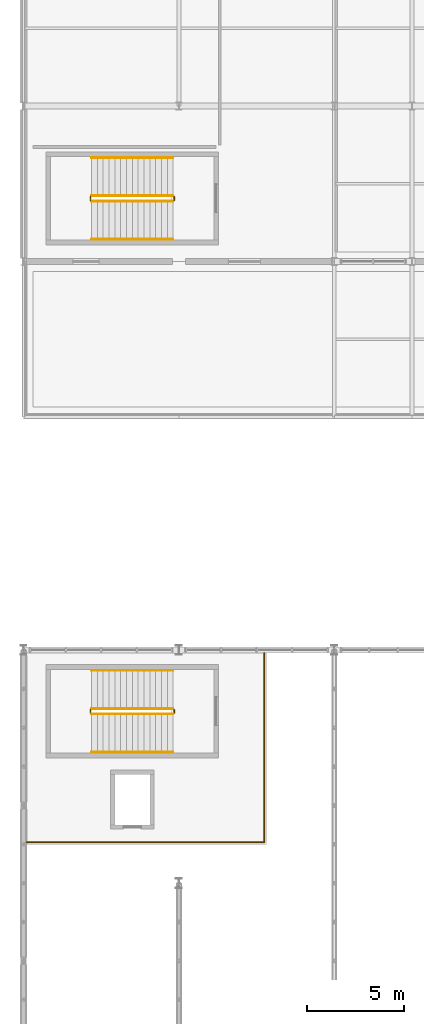
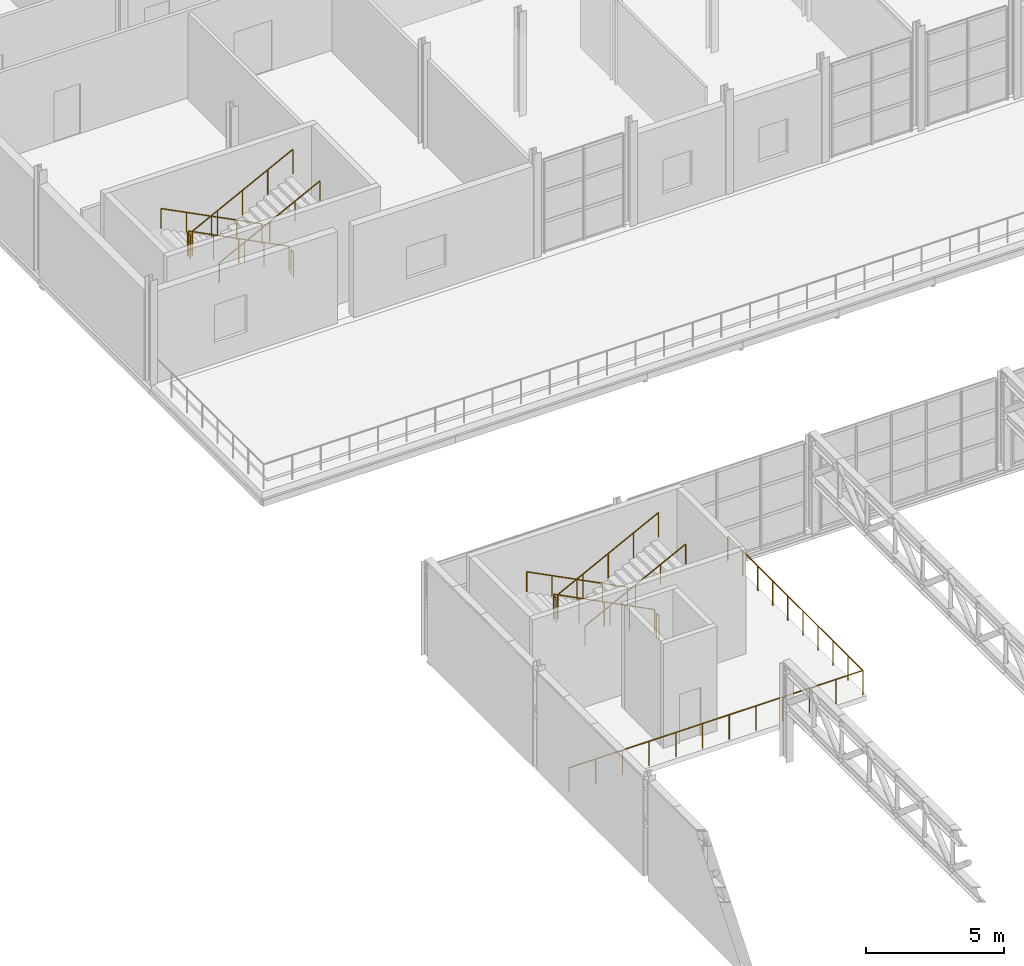
# One storey, part 64 of 67: 13 railings.
"""IFC4 building model written with IfcOpenShell, lengths in metres."""

from ifc_helpers import new_model, si_unit, derived_unit, direction, frame, origin, origin_2d, place, context, subcontext, project, spatial, circle, extrude, material, type_object, element, save


model = new_model("IFC4")

# Units and contexts
model_context = context("Model", 3, precision=1e-05, world=origin(), true_north=direction((0.0, 1.0)))
body_context = subcontext(model_context, "Body", "Model", "MODEL_VIEW")
ifc_project = project(units=[si_unit("LENGTHUNIT", "METRE"), si_unit("AREAUNIT", "SQUARE_METRE"), si_unit("VOLUMEUNIT", "CUBIC_METRE"), si_unit("PLANEANGLEUNIT", "RADIAN"), si_unit("MASSUNIT", "GRAM", prefix="KILO"), derived_unit("THERMALTRANSMITTANCEUNIT", [(si_unit("POWERUNIT", "WATT"), 1), (si_unit("LENGTHUNIT", "METRE"), -2), (si_unit("THERMODYNAMICTEMPERATUREUNIT", "KELVIN"), -1)])], contexts=[model_context])

# Site, building, storey
site_placement = place(None, origin())
site = spatial("IfcSite", under=ifc_project, at=site_placement, CompositionType="ELEMENT")
building_placement = place(site_placement, origin())
building = spatial("IfcBuilding", under=site, at=building_placement, Name="Keldorne Ridge Multi-Sports Centre", CompositionType="ELEMENT")
storey_placement = place(building_placement, frame((0.0, 0.0, 14.0)))
storey = spatial("IfcBuildingStorey", under=building, at=storey_placement, Name="L03", CompositionType="ELEMENT", Elevation=14.0)

# Railings
ifc_material_1 = material(Name="Laminated glass and stainless steel", Category="steel")
railing_type_1 = type_object("IfcRailingType", Name="RLG-BL-01", PredefinedType="BALUSTRADE", material=ifc_material_1)
railing_1_placement = place(storey_placement, frame((111.699951171875, 77.389892578125, 0.1533203125)))
element("IfcRailing", 1, at=railing_1_placement, inside=storey, type_object=railing_type_1, Name="L03 ST-02 stair guard 1", PredefinedType="BALUSTRADE", context=body_context, shape_type="SweptSolid", body=[
    extrude(circle(Radius=0.02392578125, at=origin_2d()), frame((0.0, 0.0, 1.076171875), z_axis=(-0.890427224097, 0.0, 0.455125651426), x_axis=(0.0, -1.0, 0.0)), (0.0, 0.0, 1.0), 4.716796875),
    extrude(circle(Radius=0.02099609375, at=origin_2d()), origin(), (0.0, 0.0, 1.0), 1.052001953125),
    extrude(circle(Radius=0.02099609375, at=origin_2d()), frame((-1.050048828125, 0.0, 0.53662109375)), (0.0, 0.0, 1.0), 1.052001953125),
    extrude(circle(Radius=0.02099609375, at=origin_2d()), frame((-2.10009765625, 0.0, 1.0732421875)), (0.0, 0.0, 1.0), 1.052001953125),
    extrude(circle(Radius=0.02099609375, at=origin_2d()), frame((-3.14990234375, 0.0, 1.610107421875)), (0.0, 0.0, 1.0), 1.052001953125),
    extrude(circle(Radius=0.02099609375, at=origin_2d()), frame((-4.199951171875, 0.0, 2.146728515625)), (0.0, 0.0, 1.0), 1.052001953125),
])
railing_2_placement = place(storey_placement, frame((107.449951171875, 77.340087890625, 2.300048828125)))
element("IfcRailing", 2, at=railing_2_placement, inside=storey, type_object=railing_type_1, Name="L03 ST-02 stair guard 2", PredefinedType="BALUSTRADE", context=body_context, shape_type="SweptSolid", body=[
    extrude(circle(Radius=0.02392578125, at=origin_2d()), frame((0.0, 0.0, 1.076171875), z_axis=(0.0, -1.0, 0.0), x_axis=(1.0, 0.0, 0.0)), (0.0, 0.0, 1.0), 0.18017578125),
    extrude(circle(Radius=0.02099609375, at=origin_2d()), origin(), (0.0, 0.0, 1.0), 1.052001953125),
    extrude(circle(Radius=0.02099609375, at=origin_2d()), frame((0.0, -0.18017578125, 0.0)), (0.0, 0.0, 1.0), 1.052001953125),
])
railing_3_placement = place(storey_placement, frame((107.5, 77.110107421875, 2.453369140625)))
element("IfcRailing", 3, at=railing_3_placement, inside=storey, type_object=railing_type_1, Name="L03 ST-02 stair guard 3", PredefinedType="BALUSTRADE", context=body_context, shape_type="SweptSolid", body=[
    extrude(circle(Radius=0.02392578125, at=origin_2d()), frame((0.0, 0.0, 1.076171875), z_axis=(0.890427224097, 0.0, 0.455125651426), x_axis=(0.0, 1.0, 0.0)), (0.0, 0.0, 1.0), 4.716796875),
    extrude(circle(Radius=0.02099609375, at=origin_2d()), origin(), (0.0, 0.0, 1.0), 1.052001953125),
    extrude(circle(Radius=0.02099609375, at=origin_2d()), frame((1.050048828125, 0.0, 0.53662109375)), (0.0, 0.0, 1.0), 1.052001953125),
    extrude(circle(Radius=0.02099609375, at=origin_2d()), frame((2.10009765625, 0.0, 1.0732421875)), (0.0, 0.0, 1.0), 1.052001953125),
    extrude(circle(Radius=0.02099609375, at=origin_2d()), frame((3.14990234375, 0.0, 1.610107421875)), (0.0, 0.0, 1.0), 1.052001953125),
    extrude(circle(Radius=0.02099609375, at=origin_2d()), frame((4.199951171875, 0.0, 2.146728515625)), (0.0, 0.0, 1.0), 1.052001953125),
])
railing_4_placement = place(storey_placement, frame((111.75, 77.340087890625, 0.0)))
element("IfcRailing", 4, at=railing_4_placement, inside=storey, type_object=railing_type_1, Name="L03 ST-02 stair guard 4", PredefinedType="BALUSTRADE", context=body_context, shape_type="SweptSolid", body=[
    extrude(circle(Radius=0.02392578125, at=origin_2d()), frame((0.0, 0.0, 1.076171875), z_axis=(0.0, -1.0, 0.0), x_axis=(1.0, 0.0, 0.0)), (0.0, 0.0, 1.0), 0.18017578125),
    extrude(circle(Radius=0.02099609375, at=origin_2d()), origin(), (0.0, 0.0, 1.0), 1.052001953125),
    extrude(circle(Radius=0.02099609375, at=origin_2d()), frame((0.0, -0.18017578125, 0.0)), (0.0, 0.0, 1.0), 1.052001953125),
])
railing_5_placement = place(storey_placement, frame((111.699951171875, 50.989990234375, 0.1533203125)))
element("IfcRailing", 5, at=railing_5_placement, inside=storey, type_object=railing_type_1, Name="L03 ST-04 stair guard 1", PredefinedType="BALUSTRADE", context=body_context, shape_type="SweptSolid", body=[
    extrude(circle(Radius=0.02392578125, at=origin_2d()), frame((0.0, 0.0, 1.076171875), z_axis=(-0.890427224097, 0.0, 0.455125651426), x_axis=(0.0, -1.0, 0.0)), (0.0, 0.0, 1.0), 4.716796875),
    extrude(circle(Radius=0.02099609375, at=origin_2d()), origin(), (0.0, 0.0, 1.0), 1.052001953125),
    extrude(circle(Radius=0.02099609375, at=origin_2d()), frame((-1.050048828125, 0.0, 0.53662109375)), (0.0, 0.0, 1.0), 1.052001953125),
    extrude(circle(Radius=0.02099609375, at=origin_2d()), frame((-2.10009765625, 0.0, 1.0732421875)), (0.0, 0.0, 1.0), 1.052001953125),
    extrude(circle(Radius=0.02099609375, at=origin_2d()), frame((-3.14990234375, 0.0, 1.610107421875)), (0.0, 0.0, 1.0), 1.052001953125),
    extrude(circle(Radius=0.02099609375, at=origin_2d()), frame((-4.199951171875, 0.0, 2.146728515625)), (0.0, 0.0, 1.0), 1.052001953125),
])
railing_6_placement = place(storey_placement, frame((107.449951171875, 50.93994140625, 2.300048828125)))
element("IfcRailing", 6, at=railing_6_placement, inside=storey, type_object=railing_type_1, Name="L03 ST-04 stair guard 2", PredefinedType="BALUSTRADE", context=body_context, shape_type="SweptSolid", body=[
    extrude(circle(Radius=0.02392578125, at=origin_2d()), frame((0.0, 0.0, 1.076171875), z_axis=(0.0, -1.0, 0.0), x_axis=(1.0, 0.0, 0.0)), (0.0, 0.0, 1.0), 0.179931640625),
    extrude(circle(Radius=0.02099609375, at=origin_2d()), origin(), (0.0, 0.0, 1.0), 1.052001953125),
    extrude(circle(Radius=0.02099609375, at=origin_2d()), frame((0.0, -0.179931640625, 0.0)), (0.0, 0.0, 1.0), 1.052001953125),
])
railing_7_placement = place(storey_placement, frame((107.5, 50.7099609375, 2.453369140625)))
element("IfcRailing", 7, at=railing_7_placement, inside=storey, type_object=railing_type_1, Name="L03 ST-04 stair guard 3", PredefinedType="BALUSTRADE", context=body_context, shape_type="SweptSolid", body=[
    extrude(circle(Radius=0.02392578125, at=origin_2d()), frame((0.0, 0.0, 1.076171875), z_axis=(0.890427224097, 0.0, 0.455125651426), x_axis=(0.0, 1.0, 0.0)), (0.0, 0.0, 1.0), 4.716796875),
    extrude(circle(Radius=0.02099609375, at=origin_2d()), origin(), (0.0, 0.0, 1.0), 1.052001953125),
    extrude(circle(Radius=0.02099609375, at=origin_2d()), frame((1.050048828125, 0.0, 0.53662109375)), (0.0, 0.0, 1.0), 1.052001953125),
    extrude(circle(Radius=0.02099609375, at=origin_2d()), frame((2.10009765625, 0.0, 1.0732421875)), (0.0, 0.0, 1.0), 1.052001953125),
    extrude(circle(Radius=0.02099609375, at=origin_2d()), frame((3.14990234375, 0.0, 1.610107421875)), (0.0, 0.0, 1.0), 1.052001953125),
    extrude(circle(Radius=0.02099609375, at=origin_2d()), frame((4.199951171875, 0.0, 2.146728515625)), (0.0, 0.0, 1.0), 1.052001953125),
])
railing_8_placement = place(storey_placement, frame((111.75, 50.93994140625, 0.0)))
element("IfcRailing", 8, at=railing_8_placement, inside=storey, type_object=railing_type_1, Name="L03 ST-04 stair guard 4", PredefinedType="BALUSTRADE", context=body_context, shape_type="SweptSolid", body=[
    extrude(circle(Radius=0.02392578125, at=origin_2d()), frame((0.0, 0.0, 1.076171875), z_axis=(0.0, -1.0, 0.0), x_axis=(1.0, 0.0, 0.0)), (0.0, 0.0, 1.0), 0.179931640625),
    extrude(circle(Radius=0.02099609375, at=origin_2d()), origin(), (0.0, 0.0, 1.0), 1.052001953125),
    extrude(circle(Radius=0.02099609375, at=origin_2d()), frame((0.0, -0.179931640625, 0.0)), (0.0, 0.0, 1.0), 1.052001953125),
])
railing_9_placement = place(storey_placement, frame((104.14990234375, 44.10009765625, 0.0)))
element("IfcRailing", 9, at=railing_9_placement, inside=storey, type_object=railing_type_1, Name="Safety balustrade RLG-V2-C4-L03", PredefinedType="BALUSTRADE", context=body_context, shape_type="SweptSolid", body=[
    extrude(circle(Radius=0.02392578125, at=origin_2d()), frame((0.0, 0.0, 1.076171875), z_axis=(1.0, 0.0, 0.0), x_axis=(0.0, 1.0, 0.0)), (0.0, 0.0, 1.0), 12.25),
    extrude(circle(Radius=0.02392578125, at=origin_2d()), frame((12.25, 0.0, 1.076171875), z_axis=(0.0, 1.0, 0.0), x_axis=(-1.0, 0.0, 0.0)), (0.0, 0.0, 1.0), 9.75),
    extrude(circle(Radius=0.02099609375, at=origin_2d()), origin(), (0.0, 0.0, 1.0), 1.052001953125),
    extrude(circle(Radius=0.02099609375, at=origin_2d()), frame((1.113525390625, 0.0, 0.0)), (0.0, 0.0, 1.0), 1.052001953125),
    extrude(circle(Radius=0.02099609375, at=origin_2d()), frame((2.227294921875, 0.0, 0.0)), (0.0, 0.0, 1.0), 1.052001953125),
    extrude(circle(Radius=0.02099609375, at=origin_2d()), frame((3.3408203125, 0.0, 0.0)), (0.0, 0.0, 1.0), 1.052001953125),
    extrude(circle(Radius=0.02099609375, at=origin_2d()), frame((4.45458984375, 0.0, 0.0)), (0.0, 0.0, 1.0), 1.052001953125),
    extrude(circle(Radius=0.02099609375, at=origin_2d()), frame((5.568115234375, 0.0, 0.0)), (0.0, 0.0, 1.0), 1.052001953125),
    extrude(circle(Radius=0.02099609375, at=origin_2d()), frame((6.681884765625, 0.0, 0.0)), (0.0, 0.0, 1.0), 1.052001953125),
    extrude(circle(Radius=0.02099609375, at=origin_2d()), frame((7.79541015625, 0.0, 0.0)), (0.0, 0.0, 1.0), 1.052001953125),
    extrude(circle(Radius=0.02099609375, at=origin_2d()), frame((8.9091796875, 0.0, 0.0)), (0.0, 0.0, 1.0), 1.052001953125),
    extrude(circle(Radius=0.02099609375, at=origin_2d()), frame((10.022705078125, 0.0, 0.0)), (0.0, 0.0, 1.0), 1.052001953125),
    extrude(circle(Radius=0.02099609375, at=origin_2d()), frame((11.136474609375, 0.0, 0.0)), (0.0, 0.0, 1.0), 1.052001953125),
    extrude(circle(Radius=0.02099609375, at=origin_2d()), frame((12.25, 0.0, 0.0)), (0.0, 0.0, 1.0), 1.052001953125),
    extrude(circle(Radius=0.02099609375, at=origin_2d()), frame((12.25, 1.083251953125, 0.0)), (0.0, 0.0, 1.0), 1.052001953125),
    extrude(circle(Radius=0.02099609375, at=origin_2d()), frame((12.25, 2.166748046875, 0.0)), (0.0, 0.0, 1.0), 1.052001953125),
    extrude(circle(Radius=0.02099609375, at=origin_2d()), frame((12.25, 3.25, 0.0)), (0.0, 0.0, 1.0), 1.052001953125),
    extrude(circle(Radius=0.02099609375, at=origin_2d()), frame((12.25, 4.333251953125, 0.0)), (0.0, 0.0, 1.0), 1.052001953125),
    extrude(circle(Radius=0.02099609375, at=origin_2d()), frame((12.25, 5.416748046875, 0.0)), (0.0, 0.0, 1.0), 1.052001953125),
    extrude(circle(Radius=0.02099609375, at=origin_2d()), frame((12.25, 6.5, 0.0)), (0.0, 0.0, 1.0), 1.052001953125),
    extrude(circle(Radius=0.02099609375, at=origin_2d()), frame((12.25, 7.583251953125, 0.0)), (0.0, 0.0, 1.0), 1.052001953125),
    extrude(circle(Radius=0.02099609375, at=origin_2d()), frame((12.25, 8.666748046875, 0.0)), (0.0, 0.0, 1.0), 1.052001953125),
    extrude(circle(Radius=0.02099609375, at=origin_2d()), frame((12.25, 9.75, 0.0)), (0.0, 0.0, 1.0), 1.052001953125),
])
ifc_material_2 = material(Name="Stainless steel", Category="steel")
railing_type_2 = type_object("IfcRailingType", Name="RLG-HR-01", PredefinedType="HANDRAIL", material=ifc_material_2)
railing_10_placement = place(storey_placement, frame((111.699951171875, 79.35009765625, 0.1533203125)))
element("IfcRailing", 10, at=railing_10_placement, inside=storey, type_object=railing_type_2, Name="L03 ST-02 stair handrail 1", PredefinedType="HANDRAIL", context=body_context, shape_type="SweptSolid", body=[
    extrude(circle(Radius=0.02392578125, at=origin_2d()), frame((0.0, 0.0, 0.8759765625), z_axis=(-0.890427224097, 0.0, 0.455125651426), x_axis=(0.0, -1.0, 0.0)), (0.0, 0.0, 1.0), 4.716796875),
    extrude(circle(Radius=0.02099609375, at=origin_2d()), origin(), (0.0, 0.0, 1.0), 0.851806640625),
    extrude(circle(Radius=0.02099609375, at=origin_2d()), frame((-1.050048828125, 0.0, 0.53662109375)), (0.0, 0.0, 1.0), 0.851806640625),
    extrude(circle(Radius=0.02099609375, at=origin_2d()), frame((-2.10009765625, 0.0, 1.0732421875)), (0.0, 0.0, 1.0), 0.851806640625),
    extrude(circle(Radius=0.02099609375, at=origin_2d()), frame((-3.14990234375, 0.0, 1.610107421875)), (0.0, 0.0, 1.0), 0.851806640625),
    extrude(circle(Radius=0.02099609375, at=origin_2d()), frame((-4.199951171875, 0.0, 2.146728515625)), (0.0, 0.0, 1.0), 0.851806640625),
])
railing_11_placement = place(storey_placement, frame((107.5, 75.14990234375, 2.453369140625)))
element("IfcRailing", 11, at=railing_11_placement, inside=storey, type_object=railing_type_2, Name="L03 ST-02 stair handrail 2", PredefinedType="HANDRAIL", context=body_context, shape_type="SweptSolid", body=[
    extrude(circle(Radius=0.02392578125, at=origin_2d()), frame((0.0, 0.0, 0.8759765625), z_axis=(0.890427224097, 0.0, 0.455125651426), x_axis=(0.0, 1.0, 0.0)), (0.0, 0.0, 1.0), 4.716796875),
    extrude(circle(Radius=0.02099609375, at=origin_2d()), origin(), (0.0, 0.0, 1.0), 0.851806640625),
    extrude(circle(Radius=0.02099609375, at=origin_2d()), frame((1.050048828125, 0.0, 0.53662109375)), (0.0, 0.0, 1.0), 0.851806640625),
    extrude(circle(Radius=0.02099609375, at=origin_2d()), frame((2.10009765625, 0.0, 1.0732421875)), (0.0, 0.0, 1.0), 0.851806640625),
    extrude(circle(Radius=0.02099609375, at=origin_2d()), frame((3.14990234375, 0.0, 1.610107421875)), (0.0, 0.0, 1.0), 0.851806640625),
    extrude(circle(Radius=0.02099609375, at=origin_2d()), frame((4.199951171875, 0.0, 2.146728515625)), (0.0, 0.0, 1.0), 0.851806640625),
])
railing_12_placement = place(storey_placement, frame((111.699951171875, 52.949951171875, 0.1533203125)))
element("IfcRailing", 12, at=railing_12_placement, inside=storey, type_object=railing_type_2, Name="L03 ST-04 stair handrail 1", PredefinedType="HANDRAIL", context=body_context, shape_type="SweptSolid", body=[
    extrude(circle(Radius=0.02392578125, at=origin_2d()), frame((0.0, 0.0, 0.8759765625), z_axis=(-0.890427224097, 0.0, 0.455125651426), x_axis=(0.0, -1.0, 0.0)), (0.0, 0.0, 1.0), 4.716796875),
    extrude(circle(Radius=0.02099609375, at=origin_2d()), origin(), (0.0, 0.0, 1.0), 0.851806640625),
    extrude(circle(Radius=0.02099609375, at=origin_2d()), frame((-1.050048828125, 0.0, 0.53662109375)), (0.0, 0.0, 1.0), 0.851806640625),
    extrude(circle(Radius=0.02099609375, at=origin_2d()), frame((-2.10009765625, 0.0, 1.0732421875)), (0.0, 0.0, 1.0), 0.851806640625),
    extrude(circle(Radius=0.02099609375, at=origin_2d()), frame((-3.14990234375, 0.0, 1.610107421875)), (0.0, 0.0, 1.0), 0.851806640625),
    extrude(circle(Radius=0.02099609375, at=origin_2d()), frame((-4.199951171875, 0.0, 2.146728515625)), (0.0, 0.0, 1.0), 0.851806640625),
])
railing_13_placement = place(storey_placement, frame((107.5, 48.75, 2.453369140625)))
element("IfcRailing", 13, at=railing_13_placement, inside=storey, type_object=railing_type_2, Name="L03 ST-04 stair handrail 2", PredefinedType="HANDRAIL", context=body_context, shape_type="SweptSolid", body=[
    extrude(circle(Radius=0.02392578125, at=origin_2d()), frame((0.0, 0.0, 0.8759765625), z_axis=(0.890427224097, 0.0, 0.455125651426), x_axis=(0.0, 1.0, 0.0)), (0.0, 0.0, 1.0), 4.716796875),
    extrude(circle(Radius=0.02099609375, at=origin_2d()), origin(), (0.0, 0.0, 1.0), 0.851806640625),
    extrude(circle(Radius=0.02099609375, at=origin_2d()), frame((1.050048828125, 0.0, 0.53662109375)), (0.0, 0.0, 1.0), 0.851806640625),
    extrude(circle(Radius=0.02099609375, at=origin_2d()), frame((2.10009765625, 0.0, 1.0732421875)), (0.0, 0.0, 1.0), 0.851806640625),
    extrude(circle(Radius=0.02099609375, at=origin_2d()), frame((3.14990234375, 0.0, 1.610107421875)), (0.0, 0.0, 1.0), 0.851806640625),
    extrude(circle(Radius=0.02099609375, at=origin_2d()), frame((4.199951171875, 0.0, 2.146728515625)), (0.0, 0.0, 1.0), 0.851806640625),
])

save(model, "model.ifc")
